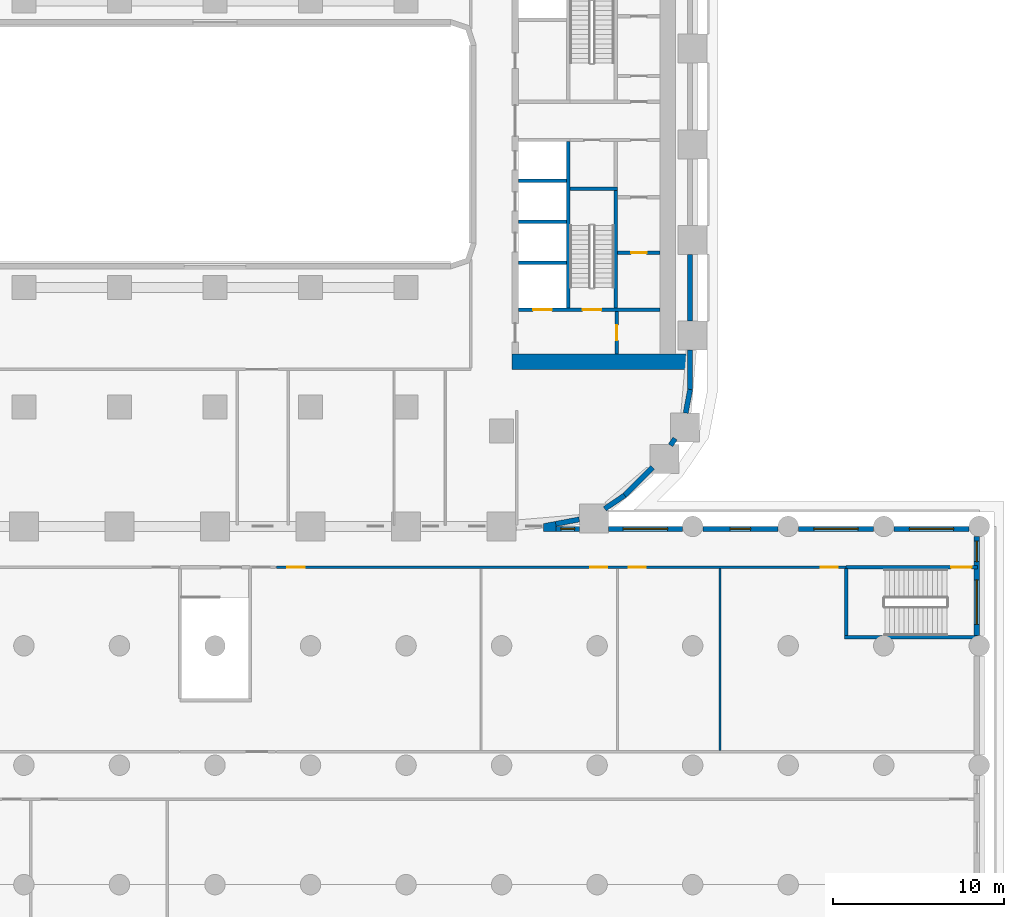
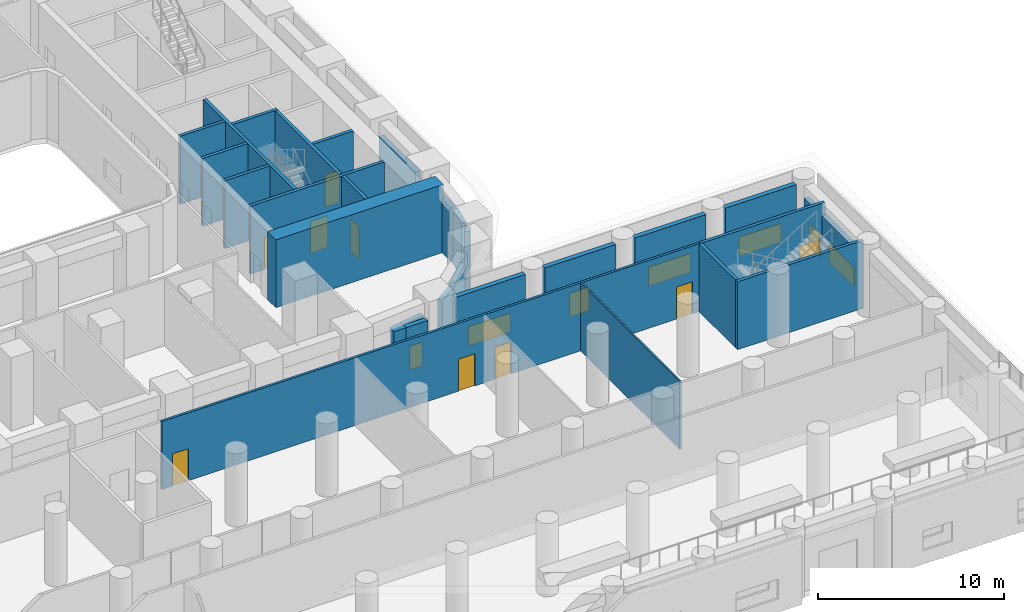
# One storey, part 13 of 24: 29 walls, 9 doors, 7 windows, 16 openings.
"""IFC4 building model written with IfcOpenShell, lengths in metres."""

from ifc_helpers import new_model, si_unit, direction, frame, frame_2d, origin, place, context, subcontext, project, spatial, polyline, rectangle, outline, extrude, material, layer, layer_set, type_object, element, fill, save


model = new_model("IFC4")

# Units and contexts
model_context = context("Model", 3, precision=1e-05, world=origin(), true_north=direction((0.0, 1.0)))
body_context = subcontext(model_context, "Body", "Model", "MODEL_VIEW")
ifc_project = project(units=[si_unit("LENGTHUNIT", "METRE"), si_unit("AREAUNIT", "SQUARE_METRE"), si_unit("VOLUMEUNIT", "CUBIC_METRE"), si_unit("PLANEANGLEUNIT", "RADIAN"), si_unit("MASSUNIT", "GRAM", prefix="KILO")], contexts=[model_context])

# Site, building, storey
site_placement = place(None, origin())
site = spatial("IfcSite", under=ifc_project, at=site_placement, CompositionType="ELEMENT")
building_placement = place(site_placement, origin())
building = spatial("IfcBuilding", under=site, at=building_placement, Name="Kiln Ring Residences", CompositionType="ELEMENT")
storey_placement = place(building_placement, frame((0.0, 0.0, 11.300048828125)))
storey = spatial("IfcBuildingStorey", under=building, at=storey_placement, Name="L02", CompositionType="ELEMENT", Elevation=11.300048828125)

# Wall, opening, door
ifc_material_1 = material(Name="Gypsum board on steel studs", Category="steel")
ifc_layer_1 = layer(ifc_material_1, 0.199951171875)
ifc_layer_set_1 = layer_set([ifc_layer_1], Name="CORE-PARTITION-200")
wall_type_1 = type_object("IfcWallType", Name="CORE-PARTITION-200", PredefinedType="PARTITIONING", material=ifc_layer_set_1)
wall_1_placement = place(storey_placement, frame((23.550048828125, -12.300048828125, 0.0), z_axis=(0.0, 0.0, 1.0), x_axis=(0.0, 1.0, 0.0)))
wall_1 = element("IfcWall", 1, at=wall_1_placement, inside=storey, type_object=wall_type_1, Name="Core partition east L02 4", PredefinedType="PARTITIONING", context=body_context, shape_type="SweptSolid", body=[
    extrude(rectangle(XDim=2.5, YDim=0.199951171875, at=frame_2d((1.25, 0.0))), origin(), (0.0, 0.0, 1.0), 4.449951171875),
])
opening_1_placement = place(wall_1_placement, frame((0.800048828125, 0.0, 0.0)))
opening_1 = element("IfcOpeningElement", 2, at=opening_1_placement, cuts=wall_1, Name="Opening L02-CE10", PredefinedType="OPENING", context=body_context, shape_type="SweptSolid", body=[
    extrude(rectangle(XDim=0.89990234375, YDim=2.10009765625, at=frame_2d((0.449951171875, 1.050048828125))), frame((0.0, 0.10986328125, 0.0), z_axis=(0.0, -1.0, 0.0), x_axis=(1.0, 0.0, 0.0)), (0.0, 0.0, 1.0), 0.219970703125),
])
ifc_material_2 = material(Name="Steel door leaf", Category="steel")
door_type_1 = type_object("IfcDoorType", Name="CORE-DOOR-ROOM", OperationType="SINGLE_SWING_LEFT", PredefinedType="DOOR", material=ifc_material_2)
door_1_placement = place(opening_1_placement, origin())
door_1 = element("IfcDoor", 3, at=door_1_placement, inside=storey, type_object=door_type_1, Name="Store L02-CE10", OperationType="SINGLE_SWING_LEFT", OverallHeight=2.10009765625, OverallWidth=0.89990234375, PredefinedType="DOOR", context=body_context, shape_type="SweptSolid", body=[
    extrude(rectangle(XDim=0.89990234375, YDim=2.10009765625, at=frame_2d((0.449951171875, 1.050048828125))), frame((0.0, 0.02490234375, 0.0), z_axis=(0.0, -1.0, 0.0), x_axis=(1.0, 0.0, 0.0)), (0.0, 0.0, 1.0), 0.050048828125),
])
fill(opening_1, door_1)

wall_2_placement = place(storey_placement, frame((23.60009765625, -6.35009765625, 0.0), z_axis=(0.0, 0.0, 1.0), x_axis=(1.0, 0.0, 0.0)))
wall_2 = element("IfcWall", 4, at=wall_2_placement, inside=storey, type_object=wall_type_1, Name="Core partition east L02 5", PredefinedType="PARTITIONING", context=body_context, shape_type="SweptSolid", body=[
    extrude(rectangle(XDim=2.5, YDim=0.199951171875, at=frame_2d((1.25, 0.0))), origin(), (0.0, 0.0, 1.0), 4.449951171875),
])
opening_2_placement = place(wall_2_placement, frame((0.800048828125, 0.0, 0.0)))
opening_2 = element("IfcOpeningElement", 5, at=opening_2_placement, cuts=wall_2, Name="Opening L02-CE15", PredefinedType="OPENING", context=body_context, shape_type="SweptSolid", body=[
    extrude(rectangle(XDim=0.89990234375, YDim=2.10009765625, at=frame_2d((0.449951171875, 1.050048828125))), frame((0.0, 0.10986328125, 0.0), z_axis=(0.0, -1.0, 0.0), x_axis=(1.0, 0.0, 0.0)), (0.0, 0.0, 1.0), 0.219970703125),
])
door_2_placement = place(opening_2_placement, origin())
door_2 = element("IfcDoor", 6, at=door_2_placement, inside=storey, type_object=door_type_1, Name="Meter room L02-CE15", OperationType="SINGLE_SWING_LEFT", OverallHeight=2.10009765625, OverallWidth=0.89990234375, PredefinedType="DOOR", context=body_context, shape_type="SweptSolid", body=[
    extrude(rectangle(XDim=0.89990234375, YDim=2.10009765625, at=frame_2d((0.449951171875, 1.050048828125))), frame((0.0, 0.02490234375, 0.0), z_axis=(0.0, -1.0, 0.0), x_axis=(1.0, 0.0, 0.0)), (0.0, 0.0, 1.0), 0.050048828125),
])
fill(opening_2, door_2)

# Walls
ifc_material_3 = material(Name="Gypsum shaft wall system")
ifc_layer_2 = layer(ifc_material_3, 0.199951171875)
ifc_layer_set_2 = layer_set([ifc_layer_2], Name="CORE-SHAFT-WALL-200")
wall_type_2 = type_object("IfcWallType", Name="CORE-SHAFT-WALL-200", PredefinedType="PARTITIONING", material=ifc_layer_set_2)
for number, where, z_axis, x_axis, name in (
    (7, (17.800048828125, -6.949951171875, 0.0), (0.0, 0.0, 1.0), (1.0, 0.0, 0.0), "Core partition east L02 9"),
    (8, (17.800048828125, -4.550048828125, 0.0), (0.0, 0.0, 1.0), (1.0, 0.0, 0.0), "Core partition east L02 10"),
    (9, (17.800048828125, -2.14990234375, 0.0), (0.0, 0.0, 1.0), (1.0, 0.0, 0.0), "Core partition east L02 11"),
):
    element("IfcWall", number, at=place(storey_placement, frame(where, z_axis=z_axis, x_axis=x_axis)), inside=storey, type_object=wall_type_2, Name=name, PredefinedType="PARTITIONING", context=body_context, shape_type="SweptSolid", body=[
        extrude(rectangle(XDim=2.800048828125, YDim=0.199951171875, at=frame_2d((1.39990234375, 0.0))), origin(), (0.0, 0.0, 1.0), 4.449951171875),
    ])
ifc_material_4 = material(Name="Concrete C40/50", Category="concrete")
ifc_layer_3 = layer(ifc_material_4, 0.199951171875)
ifc_layer_set_3 = layer_set([ifc_layer_3], Name="CORE-WALL-RC200")
wall_type_3 = type_object("IfcWallType", Name="CORE-WALL-RC200", PredefinedType="SHEAR", material=ifc_layer_set_3)
wall_3_placement = place(storey_placement, frame((20.699951171875, -9.60009765625, 0.0), z_axis=(0.0, 0.0, 1.0), x_axis=(0.0, 1.0, 0.0)))
element("IfcWall", 10, at=wall_3_placement, inside=storey, type_object=wall_type_3, Name="Core wall east L02 2", PredefinedType="SHEAR", context=body_context, shape_type="SweptSolid", body=[
    extrude(rectangle(XDim=9.75, YDim=0.199951171875, at=frame_2d((4.875, 0.0))), origin(), (0.0, 0.0, 1.0), 4.449951171875),
])

# Wall, openings, doors
wall_4_placement = place(storey_placement, frame((17.800048828125, -9.699951171875, 0.0), z_axis=(0.0, 0.0, 1.0), x_axis=(1.0, 0.0, 0.0)))
wall_4 = element("IfcWall", 11, at=wall_4_placement, inside=storey, type_object=wall_type_3, Name="Core wall east L02 8", PredefinedType="SHEAR", context=body_context, shape_type="SweptSolid", body=[
    extrude(rectangle(XDim=8.300048828125, YDim=0.199951171875, at=frame_2d((4.14990234375, 0.0))), origin(), (0.0, 0.0, 1.0), 4.449951171875),
])
opening_3_placement = place(wall_4_placement, frame((0.85009765625, 0.0, 0.0)))
opening_3 = element("IfcOpeningElement", 12, at=opening_3_placement, cuts=wall_4, Name="Opening L02-CE01", PredefinedType="OPENING", context=body_context, shape_type="SweptSolid", body=[
    extrude(rectangle(XDim=1.10009765625, YDim=2.10009765625, at=frame_2d((0.550048828125, 1.050048828125))), frame((0.0, 0.10986328125, 0.0), z_axis=(0.0, -1.0, 0.0), x_axis=(1.0, 0.0, 0.0)), (0.0, 0.0, 1.0), 0.219970703125),
])
opening_4_placement = place(wall_4_placement, frame((3.75, 0.0, 0.0)))
opening_4 = element("IfcOpeningElement", 13, at=opening_4_placement, cuts=wall_4, Name="Opening L02-CE12", PredefinedType="OPENING", context=body_context, shape_type="SweptSolid", body=[
    extrude(rectangle(XDim=1.10009765625, YDim=2.10009765625, at=frame_2d((0.550048828125, 1.050048828125))), frame((0.0, 0.10986328125, 0.0), z_axis=(0.0, -1.0, 0.0), x_axis=(1.0, 0.0, 0.0)), (0.0, 0.0, 1.0), 0.219970703125),
])
ifc_material_5 = material(Name="Steel door leaf", Category="steel")
door_type_2 = type_object("IfcDoorType", Name="CORE-DOOR-LD", OperationType="DOUBLE_DOOR_SLIDING", PredefinedType="DOOR", material=ifc_material_5)
door_3_placement = place(opening_3_placement, origin())
door_3 = element("IfcDoor", 14, at=door_3_placement, inside=storey, type_object=door_type_2, Name="LD E-SV L02-CE01", OperationType="DOUBLE_DOOR_SLIDING", OverallHeight=2.10009765625, OverallWidth=1.10009765625, PredefinedType="DOOR", context=body_context, shape_type="SweptSolid", body=[
    extrude(rectangle(XDim=1.10009765625, YDim=2.10009765625, at=frame_2d((0.550048828125, 1.050048828125))), frame((0.0, 0.02490234375, 0.0), z_axis=(0.0, -1.0, 0.0), x_axis=(1.0, 0.0, 0.0)), (0.0, 0.0, 1.0), 0.050048828125),
])
fill(opening_3, door_3)
ifc_material_6 = material(Name="Steel door leaf", Category="steel")
door_type_3 = type_object("IfcDoorType", Name="CORE-DOOR-STAIR", OperationType="SINGLE_SWING_LEFT", PredefinedType="DOOR", material=ifc_material_6)
door_4_placement = place(opening_4_placement, origin())
door_4 = element("IfcDoor", 15, at=door_4_placement, inside=storey, type_object=door_type_3, Name="Stair E-STS L02-CE12", OperationType="SINGLE_SWING_RIGHT", OverallHeight=2.10009765625, OverallWidth=1.10009765625, PredefinedType="DOOR", context=body_context, shape_type="SweptSolid", body=[
    extrude(rectangle(XDim=1.10009765625, YDim=2.10009765625, at=frame_2d((0.550048828125, 1.050048828125))), frame((0.0, 0.02490234375, 0.0), z_axis=(0.0, -1.0, 0.0), x_axis=(1.0, 0.0, 0.0)), (0.0, 0.0, 1.0), 0.050048828125),
])
fill(opening_4, door_4)

# Walls
wall_5_placement = place(storey_placement, frame((23.5, -9.60009765625, 0.0), z_axis=(0.0, 0.0, 1.0), x_axis=(0.0, 1.0, 0.0)))
element("IfcWall", 16, at=wall_5_placement, inside=storey, type_object=wall_type_3, Name="Core wall east L02 11", PredefinedType="SHEAR", context=body_context, shape_type="SweptSolid", body=[
    extrude(rectangle(XDim=6.900146484375, YDim=0.199951171875, at=frame_2d((3.4501953125, 0.0))), origin(), (0.0, 0.0, 1.0), 4.449951171875),
])
wall_6_placement = place(storey_placement, frame((20.800048828125, -2.60009765625, 0.0), z_axis=(0.0, 0.0, 1.0), x_axis=(1.0, 0.0, 0.0)))
element("IfcWall", 17, at=wall_6_placement, inside=storey, type_object=wall_type_3, Name="Core wall east L02 12", PredefinedType="SHEAR", context=body_context, shape_type="SweptSolid", body=[
    extrude(rectangle(XDim=2.800048828125, YDim=0.199951171875, at=frame_2d((1.39990234375, 0.0))), origin(), (0.0, 0.0, 1.0), 4.449951171875),
])
ifc_material_7 = material(Name="Concrete C60/75", Category="concrete")
ifc_layer_4 = layer(ifc_material_7, 0.89990234375)
ifc_layer_set_4 = layer_set([ifc_layer_4], Name="CORE-WALL-RC900")
wall_type_4 = type_object("IfcWallType", Name="CORE-WALL-RC900", PredefinedType="SHEAR", material=ifc_layer_set_4)
wall_7_placement = place(storey_placement, frame((17.39990234375, -12.75, 0.0), z_axis=(0.0, 0.0, 1.0), x_axis=(1.0, 0.0, 0.0)))
element("IfcWall", 18, at=wall_7_placement, inside=storey, type_object=wall_type_4, Name="Core wall east L02 5", PredefinedType="SHEAR", context=body_context, shape_type="SweptSolid", body=[
    extrude(rectangle(XDim=10.400146484375, YDim=0.89990234375, at=frame_2d((5.2001953125, 0.0))), origin(), (0.0, 0.0, 1.0), 4.449951171875),
])

# Wall, openings, windows
ifc_material_8 = material(Name="Brick masonry, dark clay brick", Category="masonry")
ifc_layer_5 = layer(ifc_material_8, 0.300048828125)
ifc_layer_set_5 = layer_set([ifc_layer_5], Name="EW-300 BRICK WALL")
wall_type_5 = type_object("IfcWallType", Name="EW-300 BRICK WALL", PredefinedType="SOLIDWALL", material=ifc_layer_set_5)
wall_8_placement = place(storey_placement, frame((44.64990234375, -28.800048828125, 0.0), z_axis=(0.0, 0.0, 1.0), x_axis=(0.0, 1.0, 0.0)))
wall_8 = element("IfcWall", 19, at=wall_8_placement, inside=storey, type_object=wall_type_5, Name="Facade wall L02 4", PredefinedType="SOLIDWALL", context=body_context, shape_type="SweptSolid", body=[
    extrude(rectangle(XDim=5.800048828125, YDim=0.300048828125, at=frame_2d((2.89990234375, 0.0))), origin(), (0.0, 0.0, 1.0), 3.64990234375),
])
opening_5_placement = place(wall_8_placement, frame((0.66259765625, 0.0, 0.89990234375)))
opening_5 = element("IfcOpeningElement", 20, at=opening_5_placement, cuts=wall_8, Name="Opening W3", PredefinedType="OPENING", context=body_context, shape_type="SweptSolid", body=[
    extrude(rectangle(XDim=2.60009765625, YDim=1.25, at=frame_2d((1.300048828125, 0.625))), frame((0.0, 0.159912109375, 0.0), z_axis=(0.0, -1.0, 0.0), x_axis=(1.0, 0.0, 0.0)), (0.0, 0.0, 1.0), 0.320068359375),
])
opening_6_placement = place(wall_8_placement, frame((4.33740234375, 0.0, 0.60009765625)))
opening_6 = element("IfcOpeningElement", 21, at=opening_6_placement, cuts=wall_8, Name="Opening W1", PredefinedType="OPENING", context=body_context, shape_type="SweptSolid", body=[
    extrude(rectangle(XDim=1.199951171875, YDim=1.550048828125, at=frame_2d((0.60009765625, 0.77490234375))), frame((0.0, 0.159912109375, 0.0), z_axis=(0.0, -1.0, 0.0), x_axis=(1.0, 0.0, 0.0)), (0.0, 0.0, 1.0), 0.320068359375),
])
ifc_material_9 = material(Name="Aluminium frame with double glazing", Category="aluminium")
window_type_1 = type_object("IfcWindowType", Name="WINDOW 1200 x 1550", PartitioningType="SINGLE_PANEL", PredefinedType="WINDOW", material=ifc_material_9)
window_1_placement = place(opening_6_placement, origin())
window_1 = element("IfcWindow", 22, at=window_1_placement, inside=storey, type_object=window_type_1, Name="Window L02 5", OverallHeight=1.550048828125, OverallWidth=1.199951171875, PartitioningType="SINGLE_PANEL", PredefinedType="WINDOW", context=body_context, shape_type="SweptSolid", body=[
    extrude(rectangle(XDim=1.199951171875, YDim=1.550048828125, at=frame_2d((0.60009765625, 0.77490234375))), frame((0.0, 0.030029296875, 0.0), z_axis=(0.0, -1.0, 0.0), x_axis=(1.0, 0.0, 0.0)), (0.0, 0.0, 1.0), 0.06005859375),
])
fill(opening_6, window_1)
ifc_material_10 = material(Name="Aluminium frame with double glazing", Category="aluminium")
window_type_2 = type_object("IfcWindowType", Name="WINDOW 2600 x 1250", PartitioningType="SINGLE_PANEL", PredefinedType="WINDOW", material=ifc_material_10)
window_2_placement = place(opening_5_placement, origin())
window_2 = element("IfcWindow", 23, at=window_2_placement, inside=storey, type_object=window_type_2, Name="Window L02 4", OverallHeight=1.25, OverallWidth=2.60009765625, PartitioningType="SINGLE_PANEL", PredefinedType="WINDOW", context=body_context, shape_type="SweptSolid", body=[
    extrude(rectangle(XDim=2.60009765625, YDim=1.25, at=frame_2d((1.300048828125, 0.625))), frame((0.0, 0.030029296875, 0.0), z_axis=(0.0, -1.0, 0.0), x_axis=(1.0, 0.0, 0.0)), (0.0, 0.0, 1.0), 0.06005859375),
])
fill(opening_5, window_2)

# Wall, opening, window
wall_9_placement = place(storey_placement, frame((44.199951171875, -22.550048828125, 0.0), z_axis=(0.0, 0.0, 1.0), x_axis=(-1.0, 0.0, 0.0)))
wall_9 = element("IfcWall", 24, at=wall_9_placement, inside=storey, type_object=wall_type_5, Name="Facade wall L02 5", PredefinedType="SOLIDWALL", context=body_context, shape_type="SweptSolid", body=[
    extrude(rectangle(XDim=4.39990234375, YDim=0.300048828125, at=frame_2d((2.199951171875, 0.0))), origin(), (0.0, 0.0, 1.0), 4.449951171875),
])
opening_7_placement = place(wall_9_placement, frame((0.89990234375, 0.0, 0.89990234375)))
opening_7 = element("IfcOpeningElement", 25, at=opening_7_placement, cuts=wall_9, Name="Opening W3", PredefinedType="OPENING", context=body_context, shape_type="SweptSolid", body=[
    extrude(rectangle(XDim=2.60009765625, YDim=1.25, at=frame_2d((1.300048828125, 0.625))), frame((0.0, 0.159912109375, 0.0), z_axis=(0.0, -1.0, 0.0), x_axis=(1.0, 0.0, 0.0)), (0.0, 0.0, 1.0), 0.320068359375),
])
window_3_placement = place(opening_7_placement, origin())
window_3 = element("IfcWindow", 26, at=window_3_placement, inside=storey, type_object=window_type_2, Name="Window L02 6", OverallHeight=1.25, OverallWidth=2.60009765625, PartitioningType="SINGLE_PANEL", PredefinedType="WINDOW", context=body_context, shape_type="SweptSolid", body=[
    extrude(rectangle(XDim=2.60009765625, YDim=1.25, at=frame_2d((1.300048828125, 0.625))), frame((0.0, 0.030029296875, 0.0), z_axis=(0.0, -1.0, 0.0), x_axis=(1.0, 0.0, 0.0)), (0.0, 0.0, 1.0), 0.06005859375),
])
fill(opening_7, window_3)

wall_10_placement = place(storey_placement, frame((38.60009765625, -22.550048828125, 0.0), z_axis=(0.0, 0.0, 1.0), x_axis=(-1.0, 0.0, 0.0)))
wall_10 = element("IfcWall", 27, at=wall_10_placement, inside=storey, type_object=wall_type_5, Name="Facade wall L02 6", PredefinedType="SOLIDWALL", context=body_context, shape_type="SweptSolid", body=[
    extrude(rectangle(XDim=4.400146484375, YDim=0.300048828125, at=frame_2d((2.2001953125, 0.0))), origin(), (0.0, 0.0, 1.0), 4.449951171875),
])
opening_8_placement = place(wall_10_placement, frame((0.89990234375, 0.0, 0.89990234375)))
opening_8 = element("IfcOpeningElement", 28, at=opening_8_placement, cuts=wall_10, Name="Opening W3", PredefinedType="OPENING", context=body_context, shape_type="SweptSolid", body=[
    extrude(rectangle(XDim=2.60009765625, YDim=1.25, at=frame_2d((1.300048828125, 0.625))), frame((0.0, 0.159912109375, 0.0), z_axis=(0.0, -1.0, 0.0), x_axis=(1.0, 0.0, 0.0)), (0.0, 0.0, 1.0), 0.320068359375),
])
window_4_placement = place(opening_8_placement, origin())
window_4 = element("IfcWindow", 29, at=window_4_placement, inside=storey, type_object=window_type_2, Name="Window L02 7", OverallHeight=1.25, OverallWidth=2.60009765625, PartitioningType="SINGLE_PANEL", PredefinedType="WINDOW", context=body_context, shape_type="SweptSolid", body=[
    extrude(rectangle(XDim=2.60009765625, YDim=1.25, at=frame_2d((1.300048828125, 0.625))), frame((0.0, 0.030029296875, 0.0), z_axis=(0.0, -1.0, 0.0), x_axis=(1.0, 0.0, 0.0)), (0.0, 0.0, 1.0), 0.06005859375),
])
fill(opening_8, window_4)

wall_11_placement = place(storey_placement, frame((33.0, -22.550048828125, 0.0), z_axis=(0.0, 0.0, 1.0), x_axis=(-1.0, 0.0, 0.0)))
wall_11 = element("IfcWall", 30, at=wall_11_placement, inside=storey, type_object=wall_type_5, Name="Facade wall L02 7", PredefinedType="SOLIDWALL", context=body_context, shape_type="SweptSolid", body=[
    extrude(rectangle(XDim=4.39990234375, YDim=0.300048828125, at=frame_2d((2.199951171875, 0.0))), origin(), (0.0, 0.0, 1.0), 4.449951171875),
])
opening_9_placement = place(wall_11_placement, frame((1.60009765625, 0.0, 0.60009765625)))
opening_9 = element("IfcOpeningElement", 31, at=opening_9_placement, cuts=wall_11, Name="Opening W1", PredefinedType="OPENING", context=body_context, shape_type="SweptSolid", body=[
    extrude(rectangle(XDim=1.199951171875, YDim=1.550048828125, at=frame_2d((0.60009765625, 0.77490234375))), frame((0.0, 0.159912109375, 0.0), z_axis=(0.0, -1.0, 0.0), x_axis=(1.0, 0.0, 0.0)), (0.0, 0.0, 1.0), 0.320068359375),
])
window_5_placement = place(opening_9_placement, origin())
window_5 = element("IfcWindow", 32, at=window_5_placement, inside=storey, type_object=window_type_1, Name="Window L02 8", OverallHeight=1.550048828125, OverallWidth=1.199951171875, PartitioningType="SINGLE_PANEL", PredefinedType="WINDOW", context=body_context, shape_type="SweptSolid", body=[
    extrude(rectangle(XDim=1.199951171875, YDim=1.550048828125, at=frame_2d((0.60009765625, 0.77490234375))), frame((0.0, 0.030029296875, 0.0), z_axis=(0.0, -1.0, 0.0), x_axis=(1.0, 0.0, 0.0)), (0.0, 0.0, 1.0), 0.06005859375),
])
fill(opening_9, window_5)

wall_12_placement = place(storey_placement, frame((27.39990234375, -22.550048828125, 0.0), z_axis=(0.0, 0.0, 1.0), x_axis=(-1.0, 0.0, 0.0)))
wall_12 = element("IfcWall", 33, at=wall_12_placement, inside=storey, type_object=wall_type_5, Name="Facade wall L02 8", PredefinedType="SOLIDWALL", context=body_context, shape_type="SweptSolid", body=[
    extrude(rectangle(XDim=4.34130859375, YDim=0.300048828125, at=frame_2d((2.170654296875, 0.0))), origin(), (0.0, 0.0, 1.0), 4.449951171875),
])
opening_10_placement = place(wall_12_placement, frame((0.87060546875, 0.0, 0.89990234375)))
opening_10 = element("IfcOpeningElement", 34, at=opening_10_placement, cuts=wall_12, Name="Opening W3", PredefinedType="OPENING", context=body_context, shape_type="SweptSolid", body=[
    extrude(rectangle(XDim=2.60009765625, YDim=1.25, at=frame_2d((1.300048828125, 0.625))), frame((0.0, 0.159912109375, 0.0), z_axis=(0.0, -1.0, 0.0), x_axis=(1.0, 0.0, 0.0)), (0.0, 0.0, 1.0), 0.320068359375),
])
window_6_placement = place(opening_10_placement, origin())
window_6 = element("IfcWindow", 35, at=window_6_placement, inside=storey, type_object=window_type_2, Name="Window L02 9", OverallHeight=1.25, OverallWidth=2.60009765625, PartitioningType="SINGLE_PANEL", PredefinedType="WINDOW", context=body_context, shape_type="SweptSolid", body=[
    extrude(rectangle(XDim=2.60009765625, YDim=1.25, at=frame_2d((1.300048828125, 0.625))), frame((0.0, 0.030029296875, 0.0), z_axis=(0.0, -1.0, 0.0), x_axis=(1.0, 0.0, 0.0)), (0.0, 0.0, 1.0), 0.06005859375),
])
fill(opening_10, window_6)

wall_13_placement = place(storey_placement, frame((21.358642578125, -22.550048828125, 0.0), z_axis=(0.0, 0.0, 1.0), x_axis=(-1.0, 0.0, 0.0)))
wall_13 = element("IfcWall", 36, at=wall_13_placement, inside=storey, type_object=wall_type_5, Name="Facade wall L02 9", PredefinedType="SOLIDWALL", context=body_context, shape_type="SweptSolid", body=[
    extrude(rectangle(XDim=1.358642578125, YDim=0.300048828125, at=frame_2d((0.67919921875, 0.0))), origin(), (0.0, 0.0, 1.0), 3.550048828125),
])
opening_11_placement = place(wall_13_placement, frame((0.279296875, 0.0, 0.60009765625)))
opening_11 = element("IfcOpeningElement", 37, at=opening_11_placement, cuts=wall_13, Name="Opening W5", PredefinedType="OPENING", context=body_context, shape_type="SweptSolid", body=[
    extrude(rectangle(XDim=0.800048828125, YDim=1.550048828125, at=frame_2d((0.39990234375, 0.77490234375))), frame((0.0, 0.159912109375, 0.0), z_axis=(0.0, -1.0, 0.0), x_axis=(1.0, 0.0, 0.0)), (0.0, 0.0, 1.0), 0.320068359375),
])
ifc_material_11 = material(Name="Aluminium frame with double glazing", Category="aluminium")
window_type_3 = type_object("IfcWindowType", Name="WINDOW 800 x 1550", PartitioningType="SINGLE_PANEL", PredefinedType="WINDOW", material=ifc_material_11)
window_7_placement = place(opening_11_placement, origin())
window_7 = element("IfcWindow", 38, at=window_7_placement, inside=storey, type_object=window_type_3, Name="Window L02 10", OverallHeight=1.550048828125, OverallWidth=0.800048828125, PartitioningType="SINGLE_PANEL", PredefinedType="WINDOW", context=body_context, shape_type="SweptSolid", body=[
    extrude(rectangle(XDim=0.800048828125, YDim=1.550048828125, at=frame_2d((0.39990234375, 0.77490234375))), frame((0.0, 0.030029296875, 0.0), z_axis=(0.0, -1.0, 0.0), x_axis=(1.0, 0.0, 0.0)), (0.0, 0.0, 1.0), 0.06005859375),
])
fill(opening_11, window_7)

# Walls
for number, where, z_axis, x_axis, name in (
    (39, (19.971923828125, -22.252685546875, 0.0), (0.0, 0.0, 1.0), (0.98229142023, 0.187359455971, 0.0), "Facade wall L02 10"),
    (40, (22.849853515625, -21.369140625, 0.0), (0.0, 0.0, 1.0), (0.827075041075, 0.562091519622, 0.0), "Facade wall L02 11"),
):
    element("IfcWall", number, at=place(storey_placement, frame(where, z_axis=z_axis, x_axis=x_axis)), inside=storey, type_object=wall_type_5, Name=name, PredefinedType="SOLIDWALL", context=body_context, shape_type="SweptSolid", body=[
        extrude(rectangle(XDim=1.406005859375, YDim=0.300048828125, at=frame_2d((0.703125, 0.0))), origin(), (0.0, 0.0, 1.0), 3.550048828125),
    ])
wall_14_placement = place(storey_placement, frame((23.990966796875, -20.596923828125, 0.0), z_axis=(0.0, 0.0, 1.0), x_axis=(0.707054835785, 0.707158722772, 0.0)))
element("IfcWall", 41, at=wall_14_placement, inside=storey, type_object=wall_type_5, Name="Facade wall L02 12", PredefinedType="SOLIDWALL", context=body_context, shape_type="SweptSolid", body=[
    extrude(rectangle(XDim=2.35009765625, YDim=0.300048828125, at=frame_2d((1.175048828125, 0.0))), origin(), (0.0, 0.0, 1.0), 3.550048828125),
])
wall_15_placement = place(storey_placement, frame((26.701171875, -17.644287109375, 0.0), z_axis=(0.0, 0.0, 1.0), x_axis=(0.562001981492, 0.827135885329, 0.0)))
element("IfcWall", 42, at=wall_15_placement, inside=storey, type_object=wall_type_5, Name="Facade wall L02 13", PredefinedType="SOLIDWALL", context=body_context, shape_type="SweptSolid", body=[
    extrude(rectangle(XDim=0.47705078125, YDim=0.300048828125, at=frame_2d((0.238525390625, 0.0))), origin(), (0.0, 0.0, 1.0), 4.449951171875),
])
wall_16_placement = place(storey_placement, frame((27.589111328125, -15.753173828125, 0.0), z_axis=(0.0, 0.0, 1.0), x_axis=(0.187327504018, 0.982297514116, 0.0)))
element("IfcWall", 43, at=wall_16_placement, inside=storey, type_object=wall_type_5, Name="Facade wall L02 14", PredefinedType="SOLIDWALL", context=body_context, shape_type="SweptSolid", body=[
    extrude(rectangle(XDim=1.40625, YDim=0.300048828125, at=frame_2d((0.703125, 0.0))), origin(), (0.0, 0.0, 1.0), 3.550048828125),
])
wall_17_placement = place(storey_placement, frame((27.85009765625, -14.39990234375, 0.0), z_axis=(0.0, 0.0, 1.0), x_axis=(0.0, 1.0, 0.0)))
element("IfcWall", 44, at=wall_17_placement, inside=storey, type_object=wall_type_5, Name="Facade wall L02 15", PredefinedType="SOLIDWALL", context=body_context, shape_type="SweptSolid", body=[
    extrude(rectangle(XDim=2.349853515625, YDim=0.300048828125, at=frame_2d((1.1748046875, 0.0))), origin(), (0.0, 0.0, 1.0), 3.550048828125),
])
wall_18_placement = place(storey_placement, frame((27.85009765625, -10.35009765625, 0.0), z_axis=(0.0, 0.0, 1.0), x_axis=(0.0, 1.0, 0.0)))
element("IfcWall", 45, at=wall_18_placement, inside=storey, type_object=wall_type_5, Name="Facade wall L02 16", PredefinedType="SOLIDWALL", context=body_context, shape_type="SweptSolid", body=[
    extrude(rectangle(XDim=3.900146484375, YDim=0.300048828125, at=frame_2d((1.9501953125, 0.0))), origin(), (0.0, 0.0, 1.0), 3.550048828125),
])
wall_19_placement = place(storey_placement, origin())
element("IfcWall", 46, at=wall_19_placement, inside=storey, type_object=wall_type_5, Name="Corner wall L02 1", PredefinedType="SOLIDWALL", context=body_context, shape_type="SweptSolid", body=[
    extrude(outline(polyline([(19.94384765625, -22.105224609375), (19.2509765625, -22.237548828125), (19.2509765625, -22.699951171875), (20.0, -22.699951171875), (20.0, -22.39990234375), (19.94384765625, -22.105224609375)])), origin(), (0.0, 0.0, 1.0), 3.550048828125),
])
ifc_material_12 = material(Name="Gypsum board on steel studs", Category="steel")
ifc_layer_6 = layer(ifc_material_12, 0.10009765625)
ifc_layer_set_6 = layer_set([ifc_layer_6], Name="PARTITION-100")
wall_type_6 = type_object("IfcWallType", Name="PARTITION-100", PredefinedType="PARTITIONING", material=ifc_layer_set_6)
wall_20_placement = place(storey_placement, frame((29.60009765625, -35.52490234375, 0.0), z_axis=(0.0, 0.0, 1.0), x_axis=(0.0, 1.0, 0.0)))
element("IfcWall", 47, at=wall_20_placement, inside=storey, type_object=wall_type_6, Name="Partition 042", PredefinedType="PARTITIONING", context=body_context, shape_type="SweptSolid", body=[
    extrude(rectangle(XDim=10.64990234375, YDim=0.10009765625, at=frame_2d((5.324951171875, 0.0))), origin(), (0.0, 0.0, 1.0), 4.449951171875),
])

# Wall, openings, doors
ifc_material_13 = material(Name="Brick masonry partition", Category="masonry")
ifc_layer_7 = layer(ifc_material_13, 0.14990234375)
ifc_layer_set_7 = layer_set([ifc_layer_7], Name="PARTITION-150-ei60")
wall_type_7 = type_object("IfcWallType", Name="PARTITION-150-ei60", PredefinedType="PARTITIONING", material=ifc_layer_set_7)
wall_21_placement = place(storey_placement, frame((3.60009765625, -24.800048828125, 0.0), z_axis=(0.0, 0.0, 1.0), x_axis=(1.0, 0.0, 0.0)))
wall_21 = element("IfcWall", 48, at=wall_21_placement, inside=storey, type_object=wall_type_7, Name="Partition 009", PredefinedType="PARTITIONING", context=body_context, shape_type="SweptSolid", body=[
    extrude(rectangle(XDim=33.39990234375, YDim=0.14990234375, at=frame_2d((16.699951171875, 0.0))), origin(), (0.0, 0.0, 1.0), 4.449951171875),
])
opening_12_placement = place(wall_21_placement, frame((0.64990234375, 0.0, 0.0)))
opening_12 = element("IfcOpeningElement", 49, at=opening_12_placement, cuts=wall_21, Name="Opening L02-D015", PredefinedType="OPENING", context=body_context, shape_type="SweptSolid", body=[
    extrude(rectangle(XDim=1.0, YDim=2.10009765625, at=frame_2d((0.5, 1.050048828125))), frame((0.0, 0.0849609375, 0.0), z_axis=(0.0, -1.0, 0.0), x_axis=(1.0, 0.0, 0.0)), (0.0, 0.0, 1.0), 0.169921875),
])
opening_13_placement = place(wall_21_placement, frame((18.39990234375, 0.0, 0.0)))
opening_13 = element("IfcOpeningElement", 50, at=opening_13_placement, cuts=wall_21, Name="Opening L02-D016", PredefinedType="OPENING", context=body_context, shape_type="SweptSolid", body=[
    extrude(rectangle(XDim=1.0, YDim=2.10009765625, at=frame_2d((0.5, 1.050048828125))), frame((0.0, 0.0849609375, 0.0), z_axis=(0.0, -1.0, 0.0), x_axis=(1.0, 0.0, 0.0)), (0.0, 0.0, 1.0), 0.169921875),
])
opening_14_placement = place(wall_21_placement, frame((20.64990234375, 0.0, 0.0)))
opening_14 = element("IfcOpeningElement", 51, at=opening_14_placement, cuts=wall_21, Name="Opening L02-D017", PredefinedType="OPENING", context=body_context, shape_type="SweptSolid", body=[
    extrude(rectangle(XDim=1.0, YDim=2.10009765625, at=frame_2d((0.5, 1.050048828125))), frame((0.0, 0.0849609375, 0.0), z_axis=(0.0, -1.0, 0.0), x_axis=(1.0, 0.0, 0.0)), (0.0, 0.0, 1.0), 0.169921875),
])
opening_15_placement = place(wall_21_placement, frame((31.89990234375, 0.0, 0.0)))
opening_15 = element("IfcOpeningElement", 52, at=opening_15_placement, cuts=wall_21, Name="Opening L02-D018", PredefinedType="OPENING", context=body_context, shape_type="SweptSolid", body=[
    extrude(rectangle(XDim=1.0, YDim=2.10009765625, at=frame_2d((0.5, 1.050048828125))), frame((0.0, 0.0849609375, 0.0), z_axis=(0.0, -1.0, 0.0), x_axis=(1.0, 0.0, 0.0)), (0.0, 0.0, 1.0), 0.169921875),
])
ifc_material_14 = material(Name="Steel faced fire door leaf", Category="steel")
door_type_4 = type_object("IfcDoorType", Name="FLAT-DOOR-1000-FR", OperationType="SINGLE_SWING_LEFT", PredefinedType="DOOR", material=ifc_material_14)
door_5_placement = place(opening_12_placement, origin())
door_5 = element("IfcDoor", 53, at=door_5_placement, inside=storey, type_object=door_type_4, Name="Door L02-D015", OperationType="SINGLE_SWING_LEFT", OverallHeight=2.10009765625, OverallWidth=1.0, PredefinedType="DOOR", context=body_context, shape_type="SweptSolid", body=[
    extrude(rectangle(XDim=1.0, YDim=2.10009765625, at=frame_2d((0.5, 1.050048828125))), frame((0.0, 0.02490234375, 0.0), z_axis=(0.0, -1.0, 0.0), x_axis=(1.0, 0.0, 0.0)), (0.0, 0.0, 1.0), 0.050048828125),
])
fill(opening_12, door_5)
door_6_placement = place(opening_13_placement, origin())
door_6 = element("IfcDoor", 54, at=door_6_placement, inside=storey, type_object=door_type_4, Name="Door L02-D016", OperationType="SINGLE_SWING_RIGHT", OverallHeight=2.10009765625, OverallWidth=1.0, PredefinedType="DOOR", context=body_context, shape_type="SweptSolid", body=[
    extrude(rectangle(XDim=1.0, YDim=2.10009765625, at=frame_2d((0.5, 1.050048828125))), frame((0.0, 0.02490234375, 0.0), z_axis=(0.0, -1.0, 0.0), x_axis=(1.0, 0.0, 0.0)), (0.0, 0.0, 1.0), 0.050048828125),
])
fill(opening_13, door_6)
door_7_placement = place(opening_14_placement, origin())
door_7 = element("IfcDoor", 55, at=door_7_placement, inside=storey, type_object=door_type_4, Name="Door L02-D017", OperationType="SINGLE_SWING_LEFT", OverallHeight=2.10009765625, OverallWidth=1.0, PredefinedType="DOOR", context=body_context, shape_type="SweptSolid", body=[
    extrude(rectangle(XDim=1.0, YDim=2.10009765625, at=frame_2d((0.5, 1.050048828125))), frame((0.0, 0.02490234375, 0.0), z_axis=(0.0, -1.0, 0.0), x_axis=(1.0, 0.0, 0.0)), (0.0, 0.0, 1.0), 0.050048828125),
])
fill(opening_14, door_7)
door_8_placement = place(opening_15_placement, origin())
door_8 = element("IfcDoor", 56, at=door_8_placement, inside=storey, type_object=door_type_4, Name="Door L02-D018", OperationType="SINGLE_SWING_RIGHT", OverallHeight=2.10009765625, OverallWidth=1.0, PredefinedType="DOOR", context=body_context, shape_type="SweptSolid", body=[
    extrude(rectangle(XDim=1.0, YDim=2.10009765625, at=frame_2d((0.5, 1.050048828125))), frame((0.0, 0.02490234375, 0.0), z_axis=(0.0, -1.0, 0.0), x_axis=(1.0, 0.0, 0.0)), (0.0, 0.0, 1.0), 0.050048828125),
])
fill(opening_15, door_8)

# Wall
ifc_material_15 = material(Name="Concrete C40/50", Category="concrete")
ifc_layer_8 = layer(ifc_material_15, 0.199951171875)
ifc_layer_set_8 = layer_set([ifc_layer_8], Name="PODIUM-STAIR-WALL-200")
wall_type_8 = type_object("IfcWallType", Name="PODIUM-STAIR-WALL-200", PredefinedType="SHEAR", material=ifc_layer_set_8)
wall_22_placement = place(storey_placement, frame((36.89990234375, -28.89990234375, 0.0), z_axis=(0.0, 0.0, 1.0), x_axis=(1.0, 0.0, 0.0)))
element("IfcWall", 57, at=wall_22_placement, inside=storey, type_object=wall_type_8, Name="Stair wall 006", PredefinedType="SHEAR", context=body_context, shape_type="SweptSolid", body=[
    extrude(rectangle(XDim=7.81005859375, YDim=0.199951171875, at=frame_2d((3.905029296875, 0.0))), origin(), (0.0, 0.0, 1.0), 4.449951171875),
])

# Wall, opening, door
wall_23_placement = place(storey_placement, frame((37.0, -24.800048828125, 0.0), z_axis=(0.0, 0.0, 1.0), x_axis=(1.0, 0.0, 0.0)))
wall_23 = element("IfcWall", 58, at=wall_23_placement, inside=storey, type_object=wall_type_8, Name="Stair wall 012", PredefinedType="SHEAR", context=body_context, shape_type="SweptSolid", body=[
    extrude(rectangle(XDim=7.7099609375, YDim=0.199951171875, at=frame_2d((3.85498046875, 0.0))), origin(), (0.0, 0.0, 1.0), 4.449951171875),
])
opening_16_placement = place(wall_23_placement, frame((6.14990234375, 0.0, 0.0)))
opening_16 = element("IfcOpeningElement", 59, at=opening_16_placement, cuts=wall_23, Name="Opening L02-D007", PredefinedType="OPENING", context=body_context, shape_type="SweptSolid", body=[
    extrude(rectangle(XDim=1.199951171875, YDim=2.10009765625, at=frame_2d((0.60009765625, 1.050048828125))), frame((0.0, 0.10986328125, 0.0), z_axis=(0.0, -1.0, 0.0), x_axis=(1.0, 0.0, 0.0)), (0.0, 0.0, 1.0), 0.219970703125),
])
ifc_material_16 = material(Name="Steel faced fire door leaf", Category="steel")
door_type_5 = type_object("IfcDoorType", Name="FLAT-DOOR-1200-FR", OperationType="SINGLE_SWING_LEFT", PredefinedType="DOOR", material=ifc_material_16)
door_9_placement = place(opening_16_placement, origin())
door_9 = element("IfcDoor", 60, at=door_9_placement, inside=storey, type_object=door_type_5, Name="Door L02-D007", OperationType="SINGLE_SWING_RIGHT", OverallHeight=2.10009765625, OverallWidth=1.199951171875, PredefinedType="DOOR", context=body_context, shape_type="SweptSolid", body=[
    extrude(rectangle(XDim=1.199951171875, YDim=2.10009765625, at=frame_2d((0.60009765625, 1.050048828125))), frame((0.0, 0.02490234375, 0.0), z_axis=(0.0, -1.0, 0.0), x_axis=(1.0, 0.0, 0.0)), (0.0, 0.0, 1.0), 0.050048828125),
])
fill(opening_16, door_9)

# Wall
wall_24_placement = place(storey_placement, frame((37.0, -28.800048828125, 0.0), z_axis=(0.0, 0.0, 1.0), x_axis=(0.0, 1.0, 0.0)))
element("IfcWall", 61, at=wall_24_placement, inside=storey, type_object=wall_type_8, Name="Stair wall 043", PredefinedType="SHEAR", context=body_context, shape_type="SweptSolid", body=[
    extrude(rectangle(XDim=3.925048828125, YDim=0.199951171875, at=frame_2d((1.96240234375, 0.0))), origin(), (0.0, 0.0, 1.0), 4.449951171875),
])

save(model, "model.ifc")
